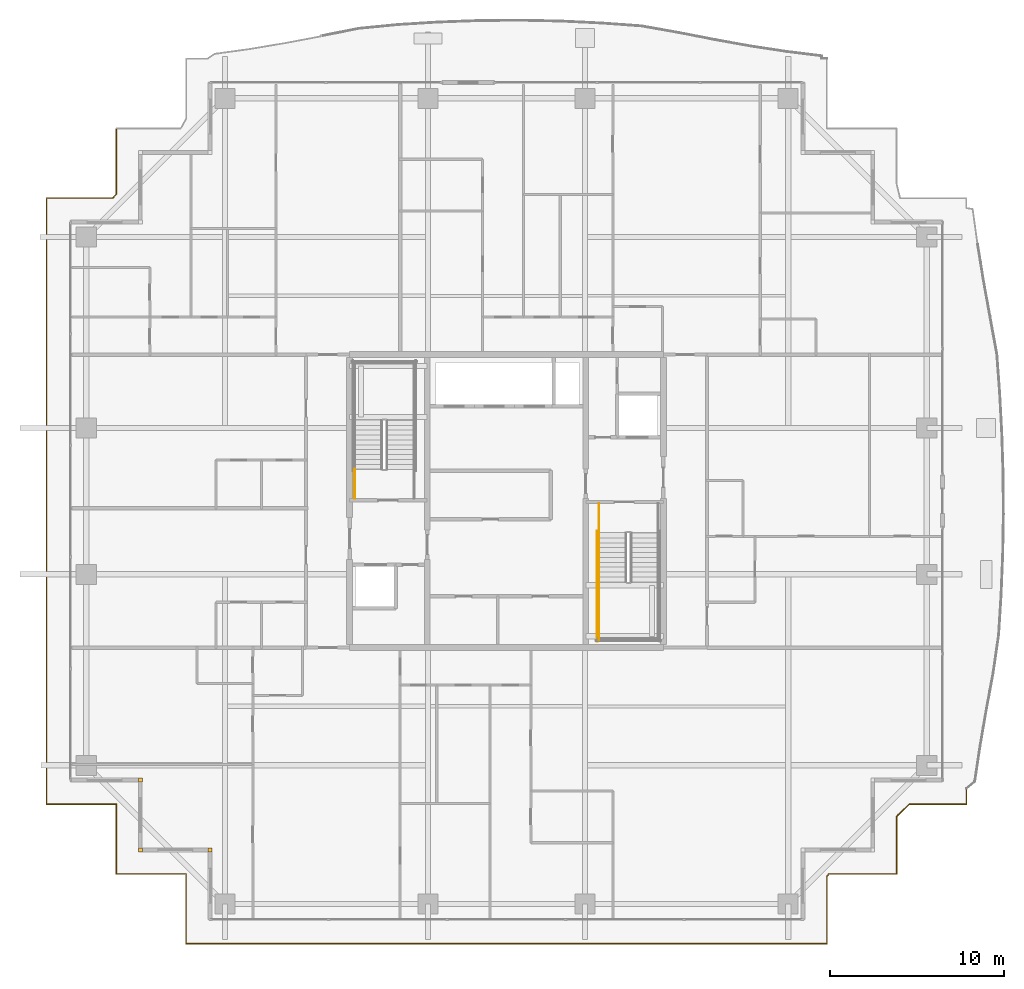
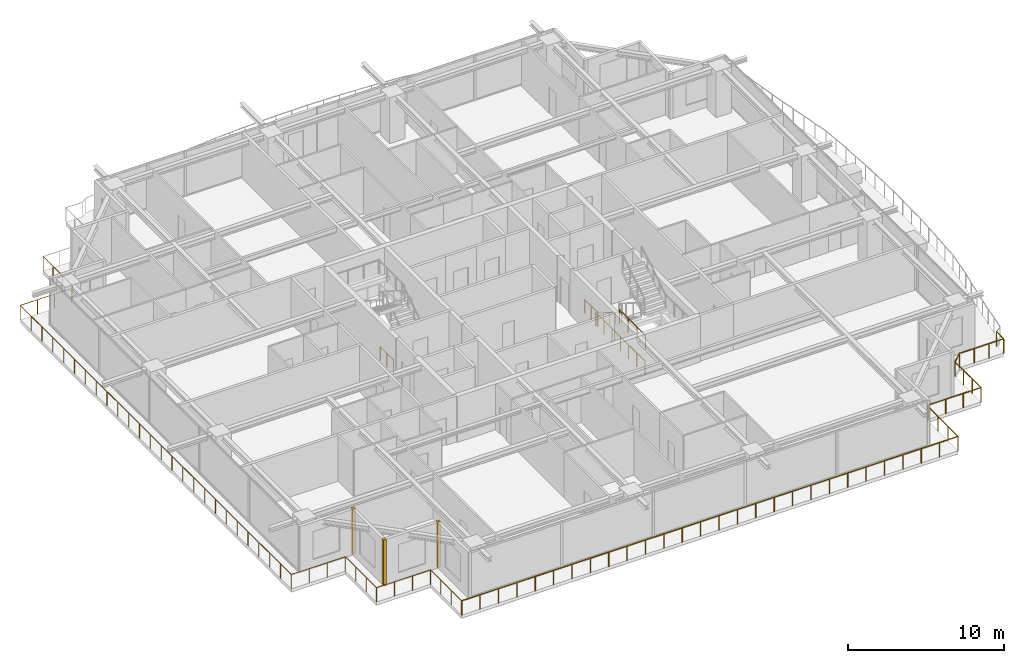
# One storey, part 33 of 37: 7 railings, 3 coverings.
"""IFC4 building model written with IfcOpenShell, lengths in metres."""

from ifc_helpers import new_model, si_unit, direction, frame, origin, origin_2d, place, context, subcontext, project, spatial, rectangle, circle, extrude, source, transform, mapped, material, layer, layer_set, type_object, element, save


model = new_model("IFC4")

# Units and contexts
model_context = context("Model", 3, precision=1e-05, world=origin(), true_north=direction((0.0, 1.0)))
body_context = subcontext(model_context, "Body", "Model", "MODEL_VIEW")
ifc_project = project(units=[si_unit("LENGTHUNIT", "METRE"), si_unit("AREAUNIT", "SQUARE_METRE"), si_unit("VOLUMEUNIT", "CUBIC_METRE"), si_unit("PLANEANGLEUNIT", "RADIAN"), si_unit("MASSUNIT", "GRAM", prefix="KILO")], contexts=[model_context])

# Site, building, storey
site_placement = place(None, origin())
site = spatial("IfcSite", under=ifc_project, at=site_placement, CompositionType="ELEMENT")
building_placement = place(site_placement, origin())
building = spatial("IfcBuilding", under=site, at=building_placement, Name="Serunith Strait Residences", CompositionType="ELEMENT")
storey_placement = place(building_placement, frame((0.0, 0.0, 248.949951171875)))
storey = spatial("IfcBuildingStorey", under=building, at=storey_placement, Name="L62", CompositionType="ELEMENT", Elevation=248.949951171875)

# Railings
ifc_material_1 = material(Name="Stainless Steel & Laminated Glass Balustrade", Category="steel")
railing_type_1 = type_object("IfcRailingType", Name="RLG-BALC-1150", PredefinedType="BALUSTRADE", material=ifc_material_1)
railing_1_placement = place(storey_placement, frame((58.780029296875, 8.723876953125, -0.050048828125)))
element("IfcRailing", 1, at=railing_1_placement, inside=storey, type_object=railing_type_1, Name="L62 Swirling Balcony Perimeter Balustrade 7", PredefinedType="BALUSTRADE", context=body_context, shape_type="SweptSolid", body=[
    extrude(circle(Radius=0.02392578125, at=origin_2d()), frame((0.0, -0.001953125, 1.1259765625), z_axis=(0.0, -1.0, 0.0), x_axis=(1.0, 0.0, 0.0)), (0.0, 0.0, 1.0), 0.89990234375),
    extrude(circle(Radius=0.02392578125, at=origin_2d()), frame((-0.001953125, -0.90380859375, 1.1259765625), z_axis=(-1.0, 0.0, 0.0), x_axis=(0.0, -1.0, 0.0)), (0.0, 0.0, 1.0), 3.25830078125),
    extrude(circle(Radius=0.02392578125, at=origin_2d()), frame((-3.263671875, -0.9052734375, 1.1259765625), z_axis=(-0.731723225191, -0.68160187919, 0.0), x_axis=(0.68160187919, -0.731723225191, 0.0)), (0.0, 0.0, 1.0), 1.00439453125),
    extrude(circle(Radius=0.02392578125, at=origin_2d()), frame((-4.0, -1.593017578125, 1.1259765625), z_axis=(0.0, -1.0, 0.0), x_axis=(1.0, 0.0, 0.0)), (0.0, 0.0, 1.0), 3.308837890625),
    extrude(circle(Radius=0.02392578125, at=origin_2d()), frame((-4.001953125, -4.90380859375, 1.1259765625), z_axis=(-1.0, 0.0, 0.0), x_axis=(0.0, -1.0, 0.0)), (0.0, 0.0, 1.0), 3.892578125),
    extrude(circle(Radius=0.02392578125, at=origin_2d()), frame((-7.8974609375, -4.905517578125, 1.1259765625), z_axis=(-0.548119821255, -0.836399821585, 0.0), x_axis=(0.836399821585, -0.548119821255, 0.0)), (0.0, 0.0, 1.0), 0.184814453125),
    extrude(circle(Radius=0.02392578125, at=origin_2d()), frame((-8.0, -5.063720703125, 1.1259765625), z_axis=(0.0, -1.0, 0.0), x_axis=(1.0, 0.0, 0.0)), (0.0, 0.0, 1.0), 3.838134765625),
    extrude(circle(Radius=0.02392578125, at=origin_2d()), frame((-8.001953125, -8.90380859375, 1.1259765625), z_axis=(-1.0, 0.0, 0.0), x_axis=(0.0, -1.0, 0.0)), (0.0, 0.0, 1.0), 36.756103515625),
    extrude(circle(Radius=0.02099609375, at=origin_2d()), origin(), (0.0, 0.0, 1.0), 1.099853515625),
    extrude(circle(Radius=0.02099609375, at=origin_2d()), frame((0.0, -0.90380859375, 0.0)), (0.0, 0.0, 1.0), 1.099853515625),
    extrude(circle(Radius=0.02099609375, at=origin_2d()), frame((-1.08740234375, -0.90380859375, 0.0)), (0.0, 0.0, 1.0), 1.099853515625),
    extrude(circle(Radius=0.02099609375, at=origin_2d()), frame((-2.1748046875, -0.90380859375, 0.0)), (0.0, 0.0, 1.0), 1.099853515625),
    extrude(circle(Radius=0.02099609375, at=origin_2d()), frame((-3.26220703125, -0.90380859375, 0.0)), (0.0, 0.0, 1.0), 1.099853515625),
    extrude(circle(Radius=0.02099609375, at=origin_2d()), frame((-4.0, -1.591064453125, 0.0)), (0.0, 0.0, 1.0), 1.099853515625),
    extrude(circle(Radius=0.02099609375, at=origin_2d()), frame((-4.0, -2.6953125, 0.0)), (0.0, 0.0, 1.0), 1.099853515625),
    extrude(circle(Radius=0.02099609375, at=origin_2d()), frame((-4.0, -3.799560546875, 0.0)), (0.0, 0.0, 1.0), 1.099853515625),
    extrude(circle(Radius=0.02099609375, at=origin_2d()), frame((-4.0, -4.90380859375, 0.0)), (0.0, 0.0, 1.0), 1.099853515625),
    extrude(circle(Radius=0.02099609375, at=origin_2d()), frame((-5.298828125, -4.90380859375, 0.0)), (0.0, 0.0, 1.0), 1.099853515625),
    extrude(circle(Radius=0.02099609375, at=origin_2d()), frame((-6.59765625, -4.90380859375, 0.0)), (0.0, 0.0, 1.0), 1.099853515625),
    extrude(circle(Radius=0.02099609375, at=origin_2d()), frame((-7.896484375, -4.90380859375, 0.0)), (0.0, 0.0, 1.0), 1.099853515625),
    extrude(circle(Radius=0.02099609375, at=origin_2d()), frame((-8.0, -5.061767578125, 0.0)), (0.0, 0.0, 1.0), 1.099853515625),
    extrude(circle(Radius=0.02099609375, at=origin_2d()), frame((-8.0, -6.342529296875, 0.0)), (0.0, 0.0, 1.0), 1.099853515625),
    extrude(circle(Radius=0.02099609375, at=origin_2d()), frame((-8.0, -7.623046875, 0.0)), (0.0, 0.0, 1.0), 1.099853515625),
    extrude(circle(Radius=0.02099609375, at=origin_2d()), frame((-8.0, -8.90380859375, 0.0)), (0.0, 0.0, 1.0), 1.099853515625),
    extrude(circle(Radius=0.02099609375, at=origin_2d()), frame((-9.361572265625, -8.90380859375, 0.0)), (0.0, 0.0, 1.0), 1.099853515625),
    extrude(circle(Radius=0.02099609375, at=origin_2d()), frame((-10.722900390625, -8.90380859375, 0.0)), (0.0, 0.0, 1.0), 1.099853515625),
    extrude(circle(Radius=0.02099609375, at=origin_2d()), frame((-12.08447265625, -8.90380859375, 0.0)), (0.0, 0.0, 1.0), 1.099853515625),
    extrude(circle(Radius=0.02099609375, at=origin_2d()), frame((-13.446044921875, -8.90380859375, 0.0)), (0.0, 0.0, 1.0), 1.099853515625),
    extrude(circle(Radius=0.02099609375, at=origin_2d()), frame((-14.807373046875, -8.90380859375, 0.0)), (0.0, 0.0, 1.0), 1.099853515625),
    extrude(circle(Radius=0.02099609375, at=origin_2d()), frame((-16.1689453125, -8.90380859375, 0.0)), (0.0, 0.0, 1.0), 1.099853515625),
    extrude(circle(Radius=0.02099609375, at=origin_2d()), frame((-17.5302734375, -8.90380859375, 0.0)), (0.0, 0.0, 1.0), 1.099853515625),
    extrude(circle(Radius=0.02099609375, at=origin_2d()), frame((-18.891845703125, -8.90380859375, 0.0)), (0.0, 0.0, 1.0), 1.099853515625),
    extrude(circle(Radius=0.02099609375, at=origin_2d()), frame((-20.25341796875, -8.90380859375, 0.0)), (0.0, 0.0, 1.0), 1.099853515625),
    extrude(circle(Radius=0.02099609375, at=origin_2d()), frame((-21.61474609375, -8.90380859375, 0.0)), (0.0, 0.0, 1.0), 1.099853515625),
    extrude(circle(Radius=0.02099609375, at=origin_2d()), frame((-22.976318359375, -8.90380859375, 0.0)), (0.0, 0.0, 1.0), 1.099853515625),
    extrude(circle(Radius=0.02099609375, at=origin_2d()), frame((-24.337890625, -8.90380859375, 0.0)), (0.0, 0.0, 1.0), 1.099853515625),
    extrude(circle(Radius=0.02099609375, at=origin_2d()), frame((-25.69921875, -8.90380859375, 0.0)), (0.0, 0.0, 1.0), 1.099853515625),
    extrude(circle(Radius=0.02099609375, at=origin_2d()), frame((-27.060791015625, -8.90380859375, 0.0)), (0.0, 0.0, 1.0), 1.099853515625),
    extrude(circle(Radius=0.02099609375, at=origin_2d()), frame((-28.422119140625, -8.90380859375, 0.0)), (0.0, 0.0, 1.0), 1.099853515625),
    extrude(circle(Radius=0.02099609375, at=origin_2d()), frame((-29.78369140625, -8.90380859375, 0.0)), (0.0, 0.0, 1.0), 1.099853515625),
    extrude(circle(Radius=0.02099609375, at=origin_2d()), frame((-31.145263671875, -8.90380859375, 0.0)), (0.0, 0.0, 1.0), 1.099853515625),
    extrude(circle(Radius=0.02099609375, at=origin_2d()), frame((-32.506591796875, -8.90380859375, 0.0)), (0.0, 0.0, 1.0), 1.099853515625),
    extrude(circle(Radius=0.02099609375, at=origin_2d()), frame((-33.8681640625, -8.90380859375, 0.0)), (0.0, 0.0, 1.0), 1.099853515625),
    extrude(circle(Radius=0.02099609375, at=origin_2d()), frame((-35.229736328125, -8.90380859375, 0.0)), (0.0, 0.0, 1.0), 1.099853515625),
    extrude(circle(Radius=0.02099609375, at=origin_2d()), frame((-36.591064453125, -8.90380859375, 0.0)), (0.0, 0.0, 1.0), 1.099853515625),
    extrude(circle(Radius=0.02099609375, at=origin_2d()), frame((-37.95263671875, -8.90380859375, 0.0)), (0.0, 0.0, 1.0), 1.099853515625),
    extrude(circle(Radius=0.02099609375, at=origin_2d()), frame((-39.31396484375, -8.90380859375, 0.0)), (0.0, 0.0, 1.0), 1.099853515625),
    extrude(circle(Radius=0.02099609375, at=origin_2d()), frame((-40.675537109375, -8.90380859375, 0.0)), (0.0, 0.0, 1.0), 1.099853515625),
    extrude(circle(Radius=0.02099609375, at=origin_2d()), frame((-42.037109375, -8.90380859375, 0.0)), (0.0, 0.0, 1.0), 1.099853515625),
    extrude(circle(Radius=0.02099609375, at=origin_2d()), frame((-43.3984375, -8.90380859375, 0.0)), (0.0, 0.0, 1.0), 1.099853515625),
    extrude(circle(Radius=0.02099609375, at=origin_2d()), frame((-44.760009765625, -8.90380859375, 0.0)), (0.0, 0.0, 1.0), 1.099853515625),
])
railing_2_placement = place(storey_placement, frame((14.02001953125, -0.179931640625, -0.050048828125)))
element("IfcRailing", 2, at=railing_2_placement, inside=storey, type_object=railing_type_1, Name="L62 Swirling Balcony Perimeter Balustrade 8", PredefinedType="BALUSTRADE", context=body_context, shape_type="SweptSolid", body=[
    extrude(circle(Radius=0.02392578125, at=origin_2d()), frame((0.0, 0.001953125, 1.1259765625), z_axis=(0.0, 1.0, 0.0), x_axis=(-1.0, 0.0, 0.0)), (0.0, 0.0, 1.0), 3.99609375),
    extrude(circle(Radius=0.02392578125, at=origin_2d()), frame((-0.001953125, 4.0, 1.1259765625), z_axis=(-1.0, 0.0, 0.0), x_axis=(0.0, -1.0, 0.0)), (0.0, 0.0, 1.0), 3.99609375),
    extrude(circle(Radius=0.02392578125, at=origin_2d()), frame((-4.0, 4.001953125, 1.1259765625), z_axis=(0.0, 1.0, 0.0), x_axis=(-1.0, 0.0, 0.0)), (0.0, 0.0, 1.0), 3.99609375),
    extrude(circle(Radius=0.02392578125, at=origin_2d()), frame((-4.001953125, 8.0, 1.1259765625), z_axis=(-1.0, 0.0, 0.0), x_axis=(0.0, -1.0, 0.0)), (0.0, 0.0, 1.0), 3.99609375),
    extrude(circle(Radius=0.02392578125, at=origin_2d()), frame((-8.0, 8.001953125, 1.1259765625), z_axis=(0.0, 1.0, 0.0), x_axis=(-1.0, 0.0, 0.0)), (0.0, 0.0, 1.0), 34.756103515625),
    extrude(circle(Radius=0.02392578125, at=origin_2d()), frame((-7.998046875, 42.760009765625, 1.1259765625), z_axis=(1.0, 0.0, 0.0), x_axis=(0.0, 1.0, 0.0)), (0.0, 0.0, 1.0), 3.801025390625),
    extrude(circle(Radius=0.02392578125, at=origin_2d()), frame((-4.19384765625, 42.761474609375, 1.1259765625), z_axis=(0.660199372359, 0.751090399843, 0.0), x_axis=(-0.751090399843, 0.660199372359, 0.0)), (0.0, 0.0, 1.0), 0.29150390625),
    extrude(circle(Radius=0.02392578125, at=origin_2d()), frame((-4.0, 42.98388671875, 1.1259765625), z_axis=(0.0, 1.0, 0.0), x_axis=(-1.0, 0.0, 0.0)), (0.0, 0.0, 1.0), 3.774169921875),
    extrude(circle(Radius=0.02099609375, at=origin_2d()), origin(), (0.0, 0.0, 1.0), 1.099853515625),
    extrude(circle(Radius=0.02099609375, at=origin_2d()), frame((0.0, 1.333251953125, 0.0)), (0.0, 0.0, 1.0), 1.099853515625),
    extrude(circle(Radius=0.02099609375, at=origin_2d()), frame((0.0, 2.666748046875, 0.0)), (0.0, 0.0, 1.0), 1.099853515625),
    extrude(circle(Radius=0.02099609375, at=origin_2d()), frame((0.0, 4.0, 0.0)), (0.0, 0.0, 1.0), 1.099853515625),
    extrude(circle(Radius=0.02099609375, at=origin_2d()), frame((-1.333251953125, 4.0, 0.0)), (0.0, 0.0, 1.0), 1.099853515625),
    extrude(circle(Radius=0.02099609375, at=origin_2d()), frame((-2.666748046875, 4.0, 0.0)), (0.0, 0.0, 1.0), 1.099853515625),
    extrude(circle(Radius=0.02099609375, at=origin_2d()), frame((-4.0, 4.0, 0.0)), (0.0, 0.0, 1.0), 1.099853515625),
    extrude(circle(Radius=0.02099609375, at=origin_2d()), frame((-4.0, 5.333251953125, 0.0)), (0.0, 0.0, 1.0), 1.099853515625),
    extrude(circle(Radius=0.02099609375, at=origin_2d()), frame((-4.0, 6.666748046875, 0.0)), (0.0, 0.0, 1.0), 1.099853515625),
    extrude(circle(Radius=0.02099609375, at=origin_2d()), frame((-4.0, 8.0, 0.0)), (0.0, 0.0, 1.0), 1.099853515625),
    extrude(circle(Radius=0.02099609375, at=origin_2d()), frame((-5.333251953125, 8.0, 0.0)), (0.0, 0.0, 1.0), 1.099853515625),
    extrude(circle(Radius=0.02099609375, at=origin_2d()), frame((-6.666748046875, 8.0, 0.0)), (0.0, 0.0, 1.0), 1.099853515625),
    extrude(circle(Radius=0.02099609375, at=origin_2d()), frame((-8.0, 8.0, 0.0)), (0.0, 0.0, 1.0), 1.099853515625),
    extrude(circle(Radius=0.02099609375, at=origin_2d()), frame((-8.0, 9.390380859375, 0.0)), (0.0, 0.0, 1.0), 1.099853515625),
    extrude(circle(Radius=0.02099609375, at=origin_2d()), frame((-8.0, 10.78076171875, 0.0)), (0.0, 0.0, 1.0), 1.099853515625),
    extrude(circle(Radius=0.02099609375, at=origin_2d()), frame((-8.0, 12.171142578125, 0.0)), (0.0, 0.0, 1.0), 1.099853515625),
    extrude(circle(Radius=0.02099609375, at=origin_2d()), frame((-8.0, 13.5615234375, 0.0)), (0.0, 0.0, 1.0), 1.099853515625),
    extrude(circle(Radius=0.02099609375, at=origin_2d()), frame((-8.0, 14.951904296875, 0.0)), (0.0, 0.0, 1.0), 1.099853515625),
    extrude(circle(Radius=0.02099609375, at=origin_2d()), frame((-8.0, 16.34228515625, 0.0)), (0.0, 0.0, 1.0), 1.099853515625),
    extrude(circle(Radius=0.02099609375, at=origin_2d()), frame((-8.0, 17.73291015625, 0.0)), (0.0, 0.0, 1.0), 1.099853515625),
    extrude(circle(Radius=0.02099609375, at=origin_2d()), frame((-8.0, 19.123291015625, 0.0)), (0.0, 0.0, 1.0), 1.099853515625),
    extrude(circle(Radius=0.02099609375, at=origin_2d()), frame((-8.0, 20.513671875, 0.0)), (0.0, 0.0, 1.0), 1.099853515625),
    extrude(circle(Radius=0.02099609375, at=origin_2d()), frame((-8.0, 21.904052734375, 0.0)), (0.0, 0.0, 1.0), 1.099853515625),
    extrude(circle(Radius=0.02099609375, at=origin_2d()), frame((-8.0, 23.29443359375, 0.0)), (0.0, 0.0, 1.0), 1.099853515625),
    extrude(circle(Radius=0.02099609375, at=origin_2d()), frame((-8.0, 24.684814453125, 0.0)), (0.0, 0.0, 1.0), 1.099853515625),
    extrude(circle(Radius=0.02099609375, at=origin_2d()), frame((-8.0, 26.0751953125, 0.0)), (0.0, 0.0, 1.0), 1.099853515625),
    extrude(circle(Radius=0.02099609375, at=origin_2d()), frame((-8.0, 27.465576171875, 0.0)), (0.0, 0.0, 1.0), 1.099853515625),
    extrude(circle(Radius=0.02099609375, at=origin_2d()), frame((-8.0, 28.85595703125, 0.0)), (0.0, 0.0, 1.0), 1.099853515625),
    extrude(circle(Radius=0.02099609375, at=origin_2d()), frame((-8.0, 30.246337890625, 0.0)), (0.0, 0.0, 1.0), 1.099853515625),
    extrude(circle(Radius=0.02099609375, at=origin_2d()), frame((-8.0, 31.63671875, 0.0)), (0.0, 0.0, 1.0), 1.099853515625),
    extrude(circle(Radius=0.02099609375, at=origin_2d()), frame((-8.0, 33.027099609375, 0.0)), (0.0, 0.0, 1.0), 1.099853515625),
    extrude(circle(Radius=0.02099609375, at=origin_2d()), frame((-8.0, 34.417724609375, 0.0)), (0.0, 0.0, 1.0), 1.099853515625),
    extrude(circle(Radius=0.02099609375, at=origin_2d()), frame((-8.0, 35.80810546875, 0.0)), (0.0, 0.0, 1.0), 1.099853515625),
    extrude(circle(Radius=0.02099609375, at=origin_2d()), frame((-8.0, 37.198486328125, 0.0)), (0.0, 0.0, 1.0), 1.099853515625),
    extrude(circle(Radius=0.02099609375, at=origin_2d()), frame((-8.0, 38.5888671875, 0.0)), (0.0, 0.0, 1.0), 1.099853515625),
    extrude(circle(Radius=0.02099609375, at=origin_2d()), frame((-8.0, 39.979248046875, 0.0)), (0.0, 0.0, 1.0), 1.099853515625),
    extrude(circle(Radius=0.02099609375, at=origin_2d()), frame((-8.0, 41.36962890625, 0.0)), (0.0, 0.0, 1.0), 1.099853515625),
    extrude(circle(Radius=0.02099609375, at=origin_2d()), frame((-8.0, 42.760009765625, 0.0)), (0.0, 0.0, 1.0), 1.099853515625),
    extrude(circle(Radius=0.02099609375, at=origin_2d()), frame((-6.731689453125, 42.760009765625, 0.0)), (0.0, 0.0, 1.0), 1.099853515625),
    extrude(circle(Radius=0.02099609375, at=origin_2d()), frame((-5.46337890625, 42.760009765625, 0.0)), (0.0, 0.0, 1.0), 1.099853515625),
    extrude(circle(Radius=0.02099609375, at=origin_2d()), frame((-4.195068359375, 42.760009765625, 0.0)), (0.0, 0.0, 1.0), 1.099853515625),
    extrude(circle(Radius=0.02099609375, at=origin_2d()), frame((-4.0, 42.98193359375, 0.0)), (0.0, 0.0, 1.0), 1.099853515625),
    extrude(circle(Radius=0.02099609375, at=origin_2d()), frame((-4.0, 44.2412109375, 0.0)), (0.0, 0.0, 1.0), 1.099853515625),
    extrude(circle(Radius=0.02099609375, at=origin_2d()), frame((-4.0, 45.500732421875, 0.0)), (0.0, 0.0, 1.0), 1.099853515625),
    extrude(circle(Radius=0.02099609375, at=origin_2d()), frame((-4.0, 46.760009765625, 0.0)), (0.0, 0.0, 1.0), 1.099853515625),
])
ifc_material_2 = material(Name="Brushed stainless steel 316L", Category="steel")
railing_type_2 = type_object("IfcRailingType", Name="RLG-STAIR-GUARD", PredefinedType="BALUSTRADE", material=ifc_material_2)
railing_3_placement = place(storey_placement, frame((23.699951171875, 25.35009765625, 0.0)))
element("IfcRailing", 3, at=railing_3_placement, inside=storey, type_object=railing_type_2, Name="L62 ST-1 stair guard 9", PredefinedType="BALUSTRADE", context=body_context, shape_type="SweptSolid", body=[
    extrude(circle(Radius=0.02392578125, at=origin_2d()), frame((0.0, 0.001953125, 1.076171875), z_axis=(0.0, 1.0, 0.0), x_axis=(-1.0, 0.0, 0.0)), (0.0, 0.0, 1.0), 1.676025390625),
    extrude(circle(Radius=0.02099609375, at=origin_2d()), origin(), (0.0, 0.0, 1.0), 1.050048828125),
    extrude(circle(Radius=0.02099609375, at=origin_2d()), frame((0.0, 0.83984375, 0.0)), (0.0, 0.0, 1.0), 1.050048828125),
    extrude(circle(Radius=0.02099609375, at=origin_2d()), frame((0.0, 1.679931640625, 0.0)), (0.0, 0.0, 1.0), 1.050048828125),
])
railing_4_placement = place(storey_placement, frame((37.699951171875, 20.570068359375, 1.925048828125)))
element("IfcRailing", 4, at=railing_4_placement, inside=storey, type_object=railing_type_2, Name="L62 ST-2 stair guard 3", PredefinedType="BALUSTRADE", context=body_context, shape_type="SweptSolid", body=[
    extrude(circle(Radius=0.02392578125, at=origin_2d()), frame((0.0, -0.001953125, 1.076171875), z_axis=(0.0, -1.0, 0.0), x_axis=(1.0, 0.0, 0.0)), (0.0, 0.0, 1.0), 3.316162109375),
    extrude(circle(Radius=0.02099609375, at=origin_2d()), origin(), (0.0, 0.0, 1.0), 1.050048828125),
    extrude(circle(Radius=0.02099609375, at=origin_2d()), frame((0.0, -1.106689453125, 0.0)), (0.0, 0.0, 1.0), 1.050048828125),
    extrude(circle(Radius=0.02099609375, at=origin_2d()), frame((0.0, -2.21337890625, 0.0)), (0.0, 0.0, 1.0), 1.050048828125),
    extrude(circle(Radius=0.02099609375, at=origin_2d()), frame((0.0, -3.320068359375, 0.0)), (0.0, 0.0, 1.0), 1.050048828125),
])
railing_5_placement = place(storey_placement, frame((37.699951171875, 25.050048828125, 0.0)))
element("IfcRailing", 5, at=railing_5_placement, inside=storey, type_object=railing_type_2, Name="L62 ST-2 stair guard 8", PredefinedType="BALUSTRADE", context=body_context, shape_type="SweptSolid", body=[
    extrude(circle(Radius=0.02392578125, at=origin_2d()), frame((0.0, -0.001953125, 1.076171875), z_axis=(0.0, -1.0, 0.0), x_axis=(1.0, 0.0, 0.0)), (0.0, 0.0, 1.0), 1.676025390625),
    extrude(circle(Radius=0.02099609375, at=origin_2d()), origin(), (0.0, 0.0, 1.0), 1.050048828125),
    extrude(circle(Radius=0.02099609375, at=origin_2d()), frame((0.0, -0.83984375, 0.0)), (0.0, 0.0, 1.0), 1.050048828125),
    extrude(circle(Radius=0.02099609375, at=origin_2d()), frame((0.0, -1.679931640625, 0.0)), (0.0, 0.0, 1.0), 1.050048828125),
])
railing_6_placement = place(storey_placement, frame((37.60009765625, 23.469970703125, 0.0)))
element("IfcRailing", 6, at=railing_6_placement, inside=storey, type_object=railing_type_2, Name="L62 ST-2 stair guard 10", PredefinedType="BALUSTRADE", context=body_context, shape_type="SweptSolid", body=[
    extrude(circle(Radius=0.02392578125, at=origin_2d()), frame((0.0, -0.001953125, 1.076171875), z_axis=(0.0, -1.0, 0.0), x_axis=(1.0, 0.0, 0.0)), (0.0, 0.0, 1.0), 6.316162109375),
    extrude(circle(Radius=0.02099609375, at=origin_2d()), origin(), (0.0, 0.0, 1.0), 1.050048828125),
    extrude(circle(Radius=0.02099609375, at=origin_2d()), frame((0.0, -1.05322265625, 0.0)), (0.0, 0.0, 1.0), 1.050048828125),
    extrude(circle(Radius=0.02099609375, at=origin_2d()), frame((0.0, -2.106689453125, 0.0)), (0.0, 0.0, 1.0), 1.050048828125),
    extrude(circle(Radius=0.02099609375, at=origin_2d()), frame((0.0, -3.16015625, 0.0)), (0.0, 0.0, 1.0), 1.050048828125),
    extrude(circle(Radius=0.02099609375, at=origin_2d()), frame((0.0, -4.21337890625, 0.0)), (0.0, 0.0, 1.0), 1.050048828125),
    extrude(circle(Radius=0.02099609375, at=origin_2d()), frame((0.0, -5.2666015625, 0.0)), (0.0, 0.0, 1.0), 1.050048828125),
    extrude(circle(Radius=0.02099609375, at=origin_2d()), frame((0.0, -6.320068359375, 0.0)), (0.0, 0.0, 1.0), 1.050048828125),
])
railing_type_3 = type_object("IfcRailingType", Name="RLG-STAIR-HR", PredefinedType="HANDRAIL", material=ifc_material_2)
railing_7_placement = place(storey_placement, frame((37.699951171875, 23.3701171875, 0.175048828125)))
element("IfcRailing", 7, at=railing_7_placement, inside=storey, type_object=railing_type_3, Name="L62 ST-2 stair handrail 1", PredefinedType="HANDRAIL", context=body_context, shape_type="SweptSolid", body=[
    extrude(circle(Radius=0.02392578125, at=origin_2d()), frame((0.0, -0.001708984375, 0.876953125), z_axis=(0.0, -0.847393994688, 0.530964610654), x_axis=(1.0, 0.0, 0.0)), (0.0, 0.0, 1.0), 3.630859375),
    extrude(circle(Radius=0.02099609375, at=origin_2d()), origin(), (0.0, 0.0, 1.0), 0.849853515625),
    extrude(circle(Radius=0.02099609375, at=origin_2d()), frame((0.0, -0.77001953125, 0.482421875)), (0.0, 0.0, 1.0), 0.849853515625),
    extrude(circle(Radius=0.02099609375, at=origin_2d()), frame((0.0, -1.5400390625, 0.96484375)), (0.0, 0.0, 1.0), 0.849853515625),
    extrude(circle(Radius=0.02099609375, at=origin_2d()), frame((0.0, -2.31005859375, 1.447509765625)), (0.0, 0.0, 1.0), 0.849853515625),
    extrude(circle(Radius=0.02099609375, at=origin_2d()), frame((0.0, -3.080078125, 1.929931640625)), (0.0, 0.0, 1.0), 0.849853515625),
])

# Coverings
ifc_material_3 = material(Name="Pale-Champagne Anodised Aluminium", Category="aluminium")
ifc_layer = layer(ifc_material_3, 0.219970703125, Name="Pale-Champagne Anodised Aluminium")
ifc_layer_set = layer_set([ifc_layer], Name="Pale-Champagne Anodised Aluminium")
covering_type = type_object("IfcCoveringType", Name="COV-CORN-TRIM", PredefinedType="CLADDING", material=ifc_layer_set)
shared_shape = source(origin(), body_context, "Body", "SweptSolid", [
    extrude(rectangle(XDim=0.221923828125, YDim=0.221923828125, at=origin_2d()), origin(), (0.0, 0.0, 1.0), 3.574951171875),
])
for number, where, z_axis, x_axis, name in (
    (8, (11.39990234375, 9.199951171875, 0.0), (0.0, 0.0, 1.0), (1.0, 0.0, 0.0), "L62 Girih Serrated Corner Trim Post 17"),
    (9, (11.39990234375, 5.199951171875, 0.0), (0.0, 0.0, 1.0), (1.0, 0.0, 0.0), "L62 Girih Serrated Corner Trim Post 18"),
    (10, (15.39990234375, 5.199951171875, 0.0), (0.0, 0.0, 1.0), (1.0, 0.0, 0.0), "L62 Girih Serrated Corner Trim Post 19"),
):
    element("IfcCovering", number, at=place(storey_placement, frame(where, z_axis=z_axis, x_axis=x_axis)), inside=storey, type_object=covering_type, Name=name, PredefinedType="CLADDING", context=body_context, shape_type="MappedRepresentation", body=[
        mapped(shared_shape, transform((0.0, 0.0, 0.0), scale=1.0)),
    ])

save(model, "model.ifc")
